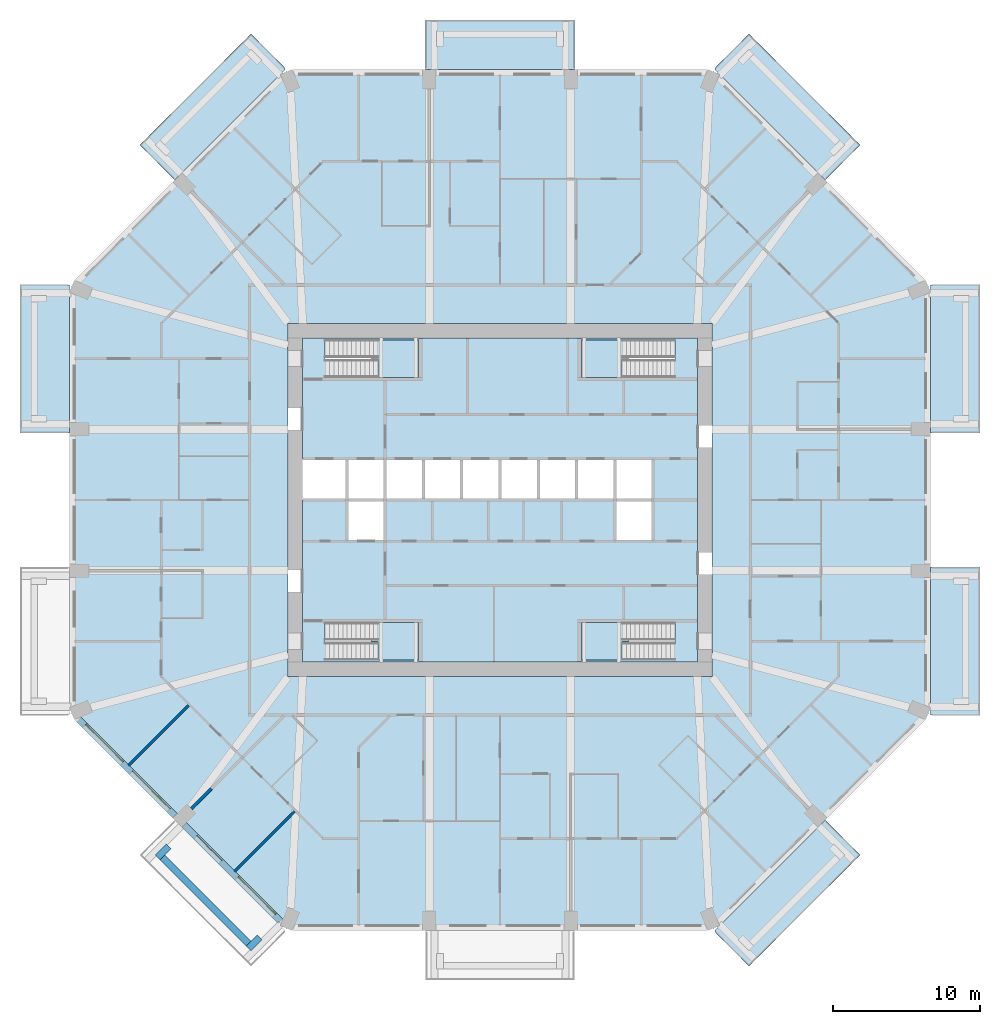
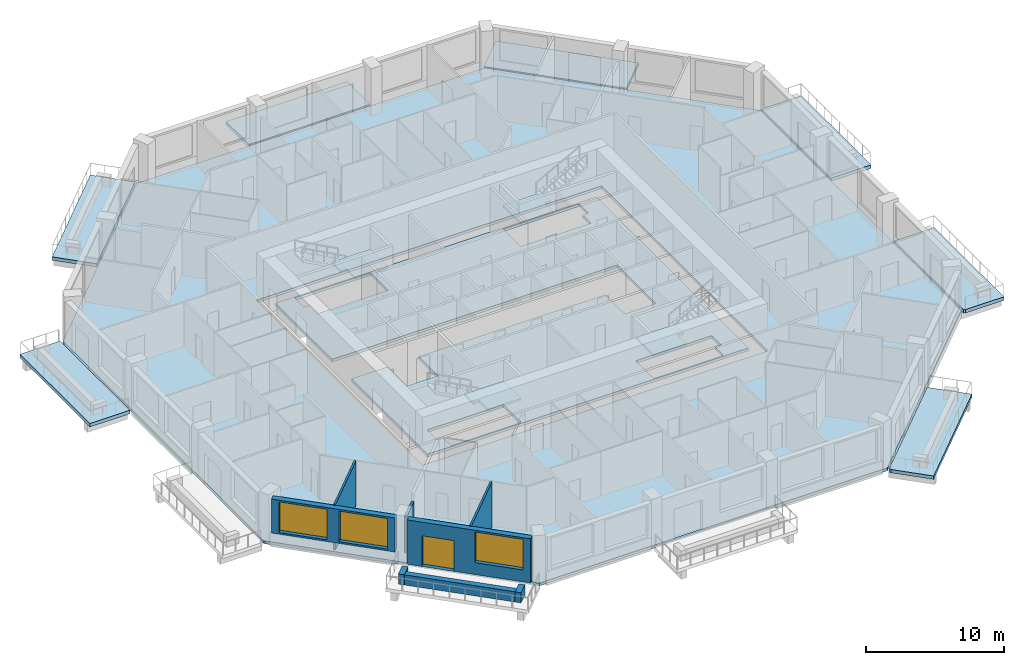
# One storey, part 2 of 13: 13 slabs, 8 walls, 3 windows, 1 door, 4 openings, 4 elements without a shape of their own.
"""IFC4 building model written with IfcOpenShell, lengths in metres."""

from ifc_helpers import new_model, si_unit, direction, frame, frame_2d, origin, place, context, subcontext, project, spatial, polyline, rectangle, outline, extrude, material, layer, layer_set, type_object, element, fill, aggregate, save


model = new_model("IFC4")

# Units and contexts
model_context = context("Model", 3, precision=1e-05, world=origin(), true_north=direction((0.0, 1.0)))
body_context = subcontext(model_context, "Body", "Model", "MODEL_VIEW")
ifc_project = project(units=[si_unit("LENGTHUNIT", "METRE"), si_unit("AREAUNIT", "SQUARE_METRE"), si_unit("VOLUMEUNIT", "CUBIC_METRE"), si_unit("PLANEANGLEUNIT", "RADIAN"), si_unit("MASSUNIT", "GRAM", prefix="KILO")], contexts=[model_context])

# Site, building, storey
site_placement = place(None, origin())
site = spatial("IfcSite", under=ifc_project, at=site_placement, CompositionType="ELEMENT")
building_placement = place(site_placement, origin())
building = spatial("IfcBuilding", under=site, at=building_placement, Name="Msitu Wima Residences", CompositionType="ELEMENT")
storey_placement = place(building_placement, frame((0.0, 0.0, 25.5)))
storey = spatial("IfcBuildingStorey", under=building, at=storey_placement, Name="L05", CompositionType="ELEMENT", Elevation=25.5)

# Slabs
ifc_material_1 = material(Name="Concrete C40/50", Category="concrete")
ifc_layer_1 = layer(ifc_material_1, 0.300048828125)
ifc_layer_set_1 = layer_set([ifc_layer_1], Name="Concrete C40/50")
slab_type_1 = type_object("IfcSlabType", Name="Balcony slab BS300", PredefinedType="FLOOR", material=ifc_layer_set_1)
slab_1_placement = place(storey_placement, frame((0.0, 0.0, -0.300048828125)))
element("IfcSlab", 1, at=slab_1_placement, inside=storey, type_object=slab_type_1, Name="Balcony E0 L05", PredefinedType="FLOOR", context=body_context, shape_type="SweptSolid", body=[
    extrude(outline(polyline([(29.25, -14.099365234375), (29.25, -14.099365234375), (29.25, -5.25), (29.25, -4.550048828125), (32.60009765625, -4.550048828125), (32.60009765625, -14.64990234375), (29.403564453125, -14.64990234375), (29.25, -14.58642578125), (29.25, -14.099365234375), (29.25, -14.099365234375)])), origin(), (0.0, 0.0, 1.0), 0.300048828125),
])
slab_2_placement = place(storey_placement, frame((0.0, 0.0, -0.300048828125)))
element("IfcSlab", 2, at=slab_2_placement, inside=storey, type_object=slab_type_1, Name="Balcony E2 L05", PredefinedType="FLOOR", context=body_context, shape_type="SweptSolid", body=[
    extrude(outline(polyline([(29.25, 14.099365234375), (29.25, 14.099365234375), (29.25, 14.099365234375), (29.25, 14.58642578125), (29.403564453125, 14.64990234375), (32.60009765625, 14.64990234375), (32.60009765625, 4.550048828125), (29.25, 4.550048828125), (29.25, 5.25), (29.25, 14.099365234375)])), origin(), (0.0, 0.0, 1.0), 0.300048828125),
])
slab_3_placement = place(storey_placement, frame((0.0, 0.0, -0.300048828125)))
element("IfcSlab", 3, at=slab_3_placement, inside=storey, type_object=slab_type_1, Name="Balcony NE1 L05", PredefinedType="FLOOR", context=body_context, shape_type="SweptSolid", body=[
    extrude(outline(polyline([(16.91015625, 31.663818359375), (24.4638671875, 24.1103515625), (22.094970703125, 21.741455078125), (14.58642578125, 29.25), (14.64990234375, 29.403564453125), (16.91015625, 31.663818359375)])), origin(), (0.0, 0.0, 1.0), 0.300048828125),
])
slab_4_placement = place(storey_placement, frame((0.0, 0.0, -0.300048828125)))
element("IfcSlab", 4, at=slab_4_placement, inside=storey, type_object=slab_type_1, Name="Balcony N1 L05", PredefinedType="FLOOR", context=body_context, shape_type="SweptSolid", body=[
    extrude(outline(polyline([(4.35009765625, 29.25), (-4.35009765625, 29.25), (-5.050048828125, 29.25), (-5.050048828125, 32.60009765625), (5.050048828125, 32.60009765625), (5.050048828125, 29.25), (4.35009765625, 29.25)])), origin(), (0.0, 0.0, 1.0), 0.300048828125),
])
slab_5_placement = place(storey_placement, frame((0.0, 0.0, -0.300048828125)))
element("IfcSlab", 5, at=slab_5_placement, inside=storey, type_object=slab_type_1, Name="Balcony NW0 L05", PredefinedType="FLOOR", context=body_context, shape_type="SweptSolid", body=[
    extrude(outline(polyline([(-24.4638671875, 24.1103515625), (-16.91015625, 31.663818359375), (-14.64990234375, 29.403564453125), (-14.58642578125, 29.25), (-22.094970703125, 21.741455078125), (-24.4638671875, 24.1103515625)])), origin(), (0.0, 0.0, 1.0), 0.300048828125),
])
slab_6_placement = place(storey_placement, frame((0.0, 0.0, -0.300048828125)))
element("IfcSlab", 6, at=slab_6_placement, inside=storey, type_object=slab_type_1, Name="Balcony W0 L05", PredefinedType="FLOOR", context=body_context, shape_type="SweptSolid", body=[
    extrude(outline(polyline([(-29.25, 14.099365234375), (-29.25, 14.099365234375), (-29.25, 5.25), (-29.25, 4.550048828125), (-32.60009765625, 4.550048828125), (-32.60009765625, 14.64990234375), (-29.403564453125, 14.64990234375), (-29.25, 14.58642578125), (-29.25, 14.099365234375), (-29.25, 14.099365234375)])), origin(), (0.0, 0.0, 1.0), 0.300048828125),
])
slab_7_placement = place(storey_placement, frame((0.0, 0.0, -0.300048828125)))
element("IfcSlab", 7, at=slab_7_placement, inside=storey, type_object=slab_type_1, Name="Balcony SE0 L05", PredefinedType="FLOOR", context=body_context, shape_type="SweptSolid", body=[
    extrude(outline(polyline([(24.4638671875, -24.1103515625), (16.91015625, -31.663818359375), (14.64990234375, -29.403564453125), (14.58642578125, -29.25), (22.094970703125, -21.741455078125), (24.4638671875, -24.1103515625)])), origin(), (0.0, 0.0, 1.0), 0.300048828125),
])
ifc_layer_2 = layer(ifc_material_1, 0.25)
ifc_layer_set_2 = layer_set([ifc_layer_2], Name="Concrete C40/50")
slab_type_2 = type_object("IfcSlabType", Name="Core floor CF250", PredefinedType="FLOOR", material=ifc_layer_set_2)
slab_8_placement = place(storey_placement, frame((0.0, 0.0, -0.25)))
element("IfcSlab", 8, at=slab_8_placement, inside=storey, type_object=slab_type_2, Name="Core floor", PredefinedType="FLOOR", context=body_context, shape_type="SweptSolid", body=[
    extrude(outline(polyline([(-13.39990234375, 11.0), (-13.39990234375, 2.800048828125), (-10.39990234375, 2.800048828125), (-7.800048828125, 2.800048828125), (-5.199951171875, 2.800048828125), (-2.60009765625, 2.800048828125), (0.0, 2.800048828125), (2.60009765625, 2.800048828125), (5.199951171875, 2.800048828125), (7.800048828125, 2.800048828125), (10.39990234375, 2.800048828125), (10.39990234375, 0.0), (10.39990234375, -2.800048828125), (7.800048828125, -2.800048828125), (7.800048828125, 0.0), (5.199951171875, 0.0), (2.60009765625, 0.0), (0.0, 0.0), (-2.60009765625, 0.0), (-5.199951171875, 0.0), (-7.800048828125, 0.0), (-7.800048828125, -2.800048828125), (-10.39990234375, -2.800048828125), (-10.39990234375, 0.0), (-13.39990234375, 0.0), (-13.39990234375, -11.0), (13.39990234375, -11.0), (13.39990234375, 11.0), (-13.39990234375, 11.0)]), holes=[polyline([(-11.375, -10.875), (-11.375, -9.675048828125), (-11.87451171875, -9.675048828125), (-11.87451171875, -8.324951171875), (-5.52490234375, -8.324951171875), (-5.52490234375, -10.875), (-11.375, -10.875)]), polyline([(-11.375, 9.52490234375), (-11.87451171875, 9.52490234375), (-11.87451171875, 10.875), (-5.52490234375, 10.875), (-5.52490234375, 8.324951171875), (-11.375, 8.324951171875), (-11.375, 9.52490234375)]), polyline([(11.375, -9.675048828125), (11.375, -10.875), (5.52490234375, -10.875), (5.52490234375, -8.324951171875), (11.87451171875, -8.324951171875), (11.87451171875, -9.675048828125), (11.375, -9.675048828125)]), polyline([(11.375, 9.52490234375), (11.375, 8.324951171875), (5.52490234375, 8.324951171875), (5.52490234375, 10.875), (11.87451171875, 10.875), (11.87451171875, 9.52490234375), (11.375, 9.52490234375)])]), origin(), (0.0, 0.0, 1.0), 0.25),
])
ifc_layer_3 = layer(ifc_material_1, 0.25)
ifc_layer_set_3 = layer_set([ifc_layer_3], Name="Concrete C40/50")
slab_type_3 = type_object("IfcSlabType", Name="PT flat slab 250 Concrete C40/50", PredefinedType="FLOOR", material=ifc_layer_set_3)
slab_9_placement = place(storey_placement, frame((0.0, 0.0, -0.25)))
element("IfcSlab", 9, at=slab_9_placement, inside=storey, type_object=slab_type_3, Name="Floor slab L05", PredefinedType="FLOOR", context=body_context, shape_type="SweptSolid", body=[
    extrude(outline(polyline([(29.10009765625, -14.524169921875), (14.524169921875, -29.10009765625), (-14.524169921875, -29.10009765625), (-29.10009765625, -14.524169921875), (-29.10009765625, 14.524169921875), (-14.524169921875, 29.10009765625), (14.524169921875, 29.10009765625), (29.10009765625, 14.524169921875), (29.10009765625, -14.524169921875)]), holes=[polyline([(-14.39990234375, -12.0), (14.39990234375, -12.0), (14.39990234375, 12.0), (-14.39990234375, 12.0), (-14.39990234375, -12.0)])]), origin(), (0.0, 0.0, 1.0), 0.25),
])

# Stair, slab
stair_type = type_object("IfcStairType", Name="Exit stair ES1615-120", PredefinedType="HALF_TURN_STAIR", material=ifc_material_1)
stair_1_placement = place(storey_placement, origin())
stair_1 = element("IfcStair", 10, at=stair_1_placement, inside=storey, type_object=stair_type, Name="Exit stair 1", PredefinedType="HALF_TURN_STAIR")
ifc_layer_4 = layer(ifc_material_1, 0.199951171875)
ifc_layer_set_4 = layer_set([ifc_layer_4], Name="Concrete C40/50")
slab_type_4 = type_object("IfcSlabType", Name="Stair landing SL200", PredefinedType="LANDING", material=ifc_layer_set_4)
slab_10_placement = place(storey_placement, frame((0.0, 0.0, 1.89990234375)))
slab_10 = element("IfcSlab", 11, at=slab_10_placement, type_object=slab_type_4, Name="S1 landing 1", PredefinedType="LANDING", context=body_context, shape_type="SweptSolid", body=[
    extrude(outline(polyline([(-5.52490234375, 8.324951171875), (-8.275390625, 8.324951171875), (-8.275390625, 9.60009765625), (-8.77490234375, 9.60009765625), (-8.77490234375, 10.875), (-5.52490234375, 10.875), (-5.52490234375, 8.324951171875)])), origin(), (0.0, 0.0, 1.0), 0.2001953125),
])
aggregate(stair_1, [slab_10])

stair_2_placement = place(storey_placement, origin())
stair_2 = element("IfcStair", 12, at=stair_2_placement, inside=storey, type_object=stair_type, Name="Exit stair 2", PredefinedType="HALF_TURN_STAIR")
slab_11_placement = place(storey_placement, frame((0.0, 0.0, 1.89990234375)))
slab_11 = element("IfcSlab", 13, at=slab_11_placement, type_object=slab_type_4, Name="S2 landing 1", PredefinedType="LANDING", context=body_context, shape_type="SweptSolid", body=[
    extrude(outline(polyline([(-5.52490234375, -10.875), (-8.275390625, -10.875), (-8.275390625, -9.60009765625), (-8.77490234375, -9.60009765625), (-8.77490234375, -8.324951171875), (-5.52490234375, -8.324951171875), (-5.52490234375, -10.875)])), origin(), (0.0, 0.0, 1.0), 0.2001953125),
])
aggregate(stair_2, [slab_11])

stair_3_placement = place(storey_placement, origin())
stair_3 = element("IfcStair", 14, at=stair_3_placement, inside=storey, type_object=stair_type, Name="Exit stair 3", PredefinedType="HALF_TURN_STAIR")
slab_12_placement = place(storey_placement, frame((0.0, 0.0, 1.89990234375)))
slab_12 = element("IfcSlab", 15, at=slab_12_placement, type_object=slab_type_4, Name="S3 landing 1", PredefinedType="LANDING", context=body_context, shape_type="SweptSolid", body=[
    extrude(outline(polyline([(5.52490234375, 8.324951171875), (8.275390625, 8.324951171875), (8.275390625, 9.60009765625), (8.77490234375, 9.60009765625), (8.77490234375, 10.875), (5.52490234375, 10.875), (5.52490234375, 8.324951171875)])), origin(), (0.0, 0.0, 1.0), 0.2001953125),
])
aggregate(stair_3, [slab_12])

stair_4_placement = place(storey_placement, origin())
stair_4 = element("IfcStair", 16, at=stair_4_placement, inside=storey, type_object=stair_type, Name="Exit stair 4", PredefinedType="HALF_TURN_STAIR")
slab_13_placement = place(storey_placement, frame((0.0, 0.0, 1.89990234375)))
slab_13 = element("IfcSlab", 17, at=slab_13_placement, type_object=slab_type_4, Name="S4 landing 1", PredefinedType="LANDING", context=body_context, shape_type="SweptSolid", body=[
    extrude(outline(polyline([(5.52490234375, -10.875), (8.275390625, -10.875), (8.275390625, -9.60009765625), (8.77490234375, -9.60009765625), (8.77490234375, -8.324951171875), (5.52490234375, -8.324951171875), (5.52490234375, -10.875)])), origin(), (0.0, 0.0, 1.0), 0.2001953125),
])
aggregate(stair_4, [slab_13])

# Walls
ifc_material_2 = material(Name="Facing brick")
ifc_layer_5 = layer(ifc_material_2, 0.06494140625, Name="Facing brick")
ifc_layer_6 = layer(ifc_material_1, 0.156005859375, Name="Concrete C40/50")
ifc_material_3 = material(Name="Waterproofing membrane")
ifc_layer_7 = layer(ifc_material_3, 0.00390625, Name="Waterproofing membrane")
ifc_material_4 = material(Name="Planting soil and planting")
ifc_layer_8 = layer(ifc_material_4, 0.22509765625, Name="Planting soil and planting")
ifc_layer_set_5 = layer_set([ifc_layer_5, ifc_layer_6, ifc_layer_7, ifc_layer_8], Name="Concrete C40/50")
wall_type_1 = type_object("IfcWallType", Name="Balcony planter PLANTER PL450", PredefinedType="USERDEFINED", material=ifc_layer_set_5)
wall_1_placement = place(storey_placement, frame((-22.92578125, -24.269287109375, 0.0), z_axis=(0.0, 0.0, 1.0), x_axis=(0.707106781187, -0.707106781187, 0.0)))
element("IfcWall", 18, at=wall_1_placement, inside=storey, type_object=wall_type_1, Name="Balcony planter SW1 L05", ObjectType="PLANTER", PredefinedType="USERDEFINED", context=body_context, shape_type="SweptSolid", body=[
    extrude(rectangle(XDim=8.2822265625, YDim=0.449951171875, at=frame_2d((4.14111328125, 0.0))), origin(), (0.0, 0.0, 1.0), 0.89990234375),
])
for number, where, z_axis, x_axis, name in (
    (19, (-22.50146484375, -23.52685546875, 0.0), (0.0, 0.0, 1.0), (-0.707223014731, -0.706990528533, 0.0), "Balcony planter SW1 L05"),
    (20, (-16.326904296875, -29.70166015625, 0.0), (0.0, 0.0, 1.0), (-0.707106781187, -0.707106781187, 0.0), "Balcony planter SW1 L05"),
):
    element("IfcWall", number, at=place(storey_placement, frame(where, z_axis=z_axis, x_axis=x_axis)), inside=storey, type_object=wall_type_1, Name=name, ObjectType="PLANTER", PredefinedType="USERDEFINED", context=body_context, shape_type="SweptSolid", body=[
        extrude(rectangle(XDim=1.050048828125, YDim=0.449951171875, at=frame_2d((0.52490234375, 0.0))), origin(), (0.0, 0.0, 1.0), 0.89990234375),
    ])

# Wall, openings, windows
ifc_material_5 = material(Name="Brick (red buff mix)", Category="masonry")
ifc_layer_9 = layer(ifc_material_5, 0.449951171875)
ifc_layer_set_6 = layer_set([ifc_layer_9], Name="Brick (red buff mix)")
wall_type_2 = type_object("IfcWallType", Name="Brick infill wall BW450", PredefinedType="SOLIDWALL", material=ifc_layer_set_6)
wall_2_placement = place(storey_placement, frame((-28.61474609375, -14.903564453125, 0.89990234375), z_axis=(0.0, 0.0, 1.0), x_axis=(0.707106781187, -0.707106781187, 0.0)))
wall_2 = element("IfcWall", 21, at=wall_2_placement, inside=storey, type_object=wall_type_2, Name="Brick infill wall L05 SW0", PredefinedType="SOLIDWALL", context=body_context, shape_type="SweptSolid", body=[
    extrude(rectangle(XDim=9.2451171875, YDim=0.449951171875, at=frame_2d((4.62255859375, 0.0))), origin(), (0.0, 0.0, 1.0), 3.0),
])
opening_1_placement = place(wall_2_placement, frame((0.572509765625, 0.0, 0.14990234375)))
opening_1 = element("IfcOpeningElement", 22, at=opening_1_placement, cuts=wall_2, Name="Opening W05-07.024", PredefinedType="OPENING", context=body_context, shape_type="SweptSolid", body=[
    extrude(rectangle(XDim=3.60009765625, YDim=2.699951171875, at=frame_2d((1.800048828125, 1.35009765625))), frame((0.0, 0.23486328125, 0.0), z_axis=(0.0, -1.0, 0.0), x_axis=(1.0, 0.0, 0.0)), (0.0, 0.0, 1.0), 0.469970703125),
])
opening_2_placement = place(wall_2_placement, frame((5.072509765625, 0.0, 0.14990234375)))
opening_2 = element("IfcOpeningElement", 23, at=opening_2_placement, cuts=wall_2, Name="Opening W05-07.025", PredefinedType="OPENING", context=body_context, shape_type="SweptSolid", body=[
    extrude(rectangle(XDim=3.60009765625, YDim=2.699951171875, at=frame_2d((1.800048828125, 1.35009765625))), frame((0.0, 0.23486328125, 0.0), z_axis=(0.0, -1.0, 0.0), x_axis=(1.0, 0.0, 0.0)), (0.0, 0.0, 1.0), 0.469970703125),
])
ifc_material_6 = material(Name="Anodised aluminium, bronze finish, clear low-emissivity double glazing", Category="aluminium")
window_type = type_object("IfcWindowType", Name="Window W3600x2700", PartitioningType="DOUBLE_PANEL_VERTICAL", PredefinedType="WINDOW", material=ifc_material_6)
window_1_placement = place(opening_1_placement, origin())
window_1 = element("IfcWindow", 24, at=window_1_placement, inside=storey, type_object=window_type, Name="Window L05 SW0.1", OverallHeight=2.699951171875, OverallWidth=3.60009765625, PartitioningType="SINGLE_PANEL", PredefinedType="WINDOW", context=body_context, shape_type="SweptSolid", body=[
    extrude(rectangle(XDim=3.60009765625, YDim=2.699951171875, at=frame_2d((1.800048828125, 1.35009765625))), frame((0.0, 0.135009765625, 0.0), z_axis=(0.0, -1.0, 0.0), x_axis=(1.0, 0.0, 0.0)), (0.0, 0.0, 1.0), 0.06005859375),
])
fill(opening_1, window_1)
window_2_placement = place(opening_2_placement, origin())
window_2 = element("IfcWindow", 25, at=window_2_placement, inside=storey, type_object=window_type, Name="Window L05 SW0.2", OverallHeight=2.699951171875, OverallWidth=3.60009765625, PartitioningType="SINGLE_PANEL", PredefinedType="WINDOW", context=body_context, shape_type="SweptSolid", body=[
    extrude(rectangle(XDim=3.60009765625, YDim=2.699951171875, at=frame_2d((1.800048828125, 1.35009765625))), frame((0.0, 0.135009765625, 0.0), z_axis=(0.0, -1.0, 0.0), x_axis=(1.0, 0.0, 0.0)), (0.0, 0.0, 1.0), 0.06005859375),
])
fill(opening_2, window_2)

# Wall, openings, door, window
wall_3_placement = place(storey_placement, frame((-21.44091796875, -22.077392578125, 0.0), z_axis=(0.0, 0.0, 1.0), x_axis=(0.707106781187, -0.707106781187, 0.0)))
wall_3 = element("IfcWall", 26, at=wall_3_placement, inside=storey, type_object=wall_type_2, Name="Brick infill wall L05 SW1", PredefinedType="SOLIDWALL", context=body_context, shape_type="SweptSolid", body=[
    extrude(rectangle(XDim=9.2451171875, YDim=0.449951171875, at=frame_2d((4.62255859375, 0.0))), origin(), (0.0, 0.0, 1.0), 3.89990234375),
])
opening_3_placement = place(wall_3_placement, frame((1.111328125, 0.0, 0.0)))
opening_3 = element("IfcOpeningElement", 27, at=opening_3_placement, cuts=wall_3, Name="Opening D05-07.008", PredefinedType="OPENING", context=body_context, shape_type="SweptSolid", body=[
    extrude(rectangle(XDim=2.39990234375, YDim=2.699951171875, at=frame_2d((1.199951171875, 1.35009765625))), frame((0.0, 0.23486328125, 0.0), z_axis=(0.0, -1.0, 0.0), x_axis=(1.0, 0.0, 0.0)), (0.0, 0.0, 1.0), 0.469970703125),
])
opening_4_placement = place(wall_3_placement, frame((5.072509765625, 0.0, 1.050048828125)))
opening_4 = element("IfcOpeningElement", 28, at=opening_4_placement, cuts=wall_3, Name="Opening W05-07.026", PredefinedType="OPENING", context=body_context, shape_type="SweptSolid", body=[
    extrude(rectangle(XDim=3.60009765625, YDim=2.699951171875, at=frame_2d((1.800048828125, 1.35009765625))), frame((0.0, 0.23486328125, 0.0), z_axis=(0.0, -1.0, 0.0), x_axis=(1.0, 0.0, 0.0)), (0.0, 0.0, 1.0), 0.469970703125),
])
door_type = type_object("IfcDoorType", Name="Balcony door D2400x2700", OperationType="SLIDING_TO_LEFT", PredefinedType="DOOR", material=ifc_material_6)
door_placement = place(opening_3_placement, origin())
door = element("IfcDoor", 29, at=door_placement, inside=storey, type_object=door_type, Name="Balcony door L05 SW1", OperationType="SINGLE_SWING_LEFT", OverallHeight=2.699951171875, OverallWidth=2.39990234375, PredefinedType="DOOR", context=body_context, shape_type="SweptSolid", body=[
    extrude(rectangle(XDim=2.39990234375, YDim=2.699951171875, at=frame_2d((1.199951171875, 1.35009765625))), frame((0.0, 0.1298828125, 0.0), z_axis=(0.0, -1.0, 0.0), x_axis=(1.0, 0.0, 0.0)), (0.0, 0.0, 1.0), 0.050048828125),
])
fill(opening_3, door)
window_3_placement = place(opening_4_placement, origin())
window_3 = element("IfcWindow", 30, at=window_3_placement, inside=storey, type_object=window_type, Name="Window L05 SW1.2", OverallHeight=2.699951171875, OverallWidth=3.60009765625, PartitioningType="SINGLE_PANEL", PredefinedType="WINDOW", context=body_context, shape_type="SweptSolid", body=[
    extrude(rectangle(XDim=3.60009765625, YDim=2.699951171875, at=frame_2d((1.800048828125, 1.35009765625))), frame((0.0, 0.135009765625, 0.0), z_axis=(0.0, -1.0, 0.0), x_axis=(1.0, 0.0, 0.0)), (0.0, 0.0, 1.0), 0.06005859375),
])
fill(opening_4, window_3)

# Walls
ifc_material_7 = material(Name="Plaster")
ifc_layer_10 = layer(ifc_material_7, 0.011962890625, Name="Plaster")
ifc_material_8 = material(Name="Concrete blockwork", Category="masonry")
ifc_layer_11 = layer(ifc_material_8, 0.1259765625, Name="Concrete blockwork")
ifc_layer_12 = layer(ifc_material_7, 0.011962890625, Name="Plaster")
ifc_layer_set_7 = layer_set([ifc_layer_10, ifc_layer_11, ifc_layer_12], Name="Concrete blockwork")
wall_type_3 = type_object("IfcWallType", Name="Partition PW150", PredefinedType="PARTITIONING", material=ifc_layer_set_7)
for number, where, z_axis, x_axis, name in (
    (31, (-25.23876953125, -18.038818359375, 0.0), (0.0, 0.0, 1.0), (0.707106781187, 0.707106781187, 0.0), "Partition"),
    (32, (-18.038818359375, -25.23876953125, 0.0), (0.0, 0.0, 1.0), (0.707106781187, 0.707106781187, 0.0), "Partition"),
):
    element("IfcWall", number, at=place(storey_placement, frame(where, z_axis=z_axis, x_axis=x_axis)), inside=storey, type_object=wall_type_3, Name=name, PredefinedType="PARTITIONING", context=body_context, shape_type="SweptSolid", body=[
        extrude(rectangle(XDim=5.77978515625, YDim=0.14990234375, at=frame_2d((2.889892578125, 0.0))), origin(), (0.0, 0.0, 1.0), 3.949951171875),
    ])
ifc_layer_13 = layer(ifc_material_7, 0.011962890625, Name="Plaster")
ifc_material_9 = material(Name="Dense concrete blockwork", Category="masonry")
ifc_layer_14 = layer(ifc_material_9, 0.176025390625, Name="Dense concrete blockwork")
ifc_layer_15 = layer(ifc_material_7, 0.011962890625, Name="Plaster")
ifc_layer_set_8 = layer_set([ifc_layer_13, ifc_layer_14, ifc_layer_15], Name="Dense concrete blockwork")
wall_type_4 = type_object("IfcWallType", Name="Party wall PW200", PredefinedType="PARTITIONING", material=ifc_layer_set_8)
wall_4_placement = place(storey_placement, frame((-20.963623046875, -20.963623046875, 0.0), z_axis=(0.0, 0.0, 1.0), x_axis=(0.707106781187, 0.707106781187, 0.0)))
element("IfcWall", 33, at=wall_4_placement, inside=storey, type_object=wall_type_4, Name="Party wall", PredefinedType="PARTITIONING", context=body_context, shape_type="SweptSolid", body=[
    extrude(rectangle(XDim=1.92041015625, YDim=0.199951171875, at=frame_2d((0.960205078125, 0.0))), origin(), (0.0, 0.0, 1.0), 3.25),
])

save(model, "model.ifc")
